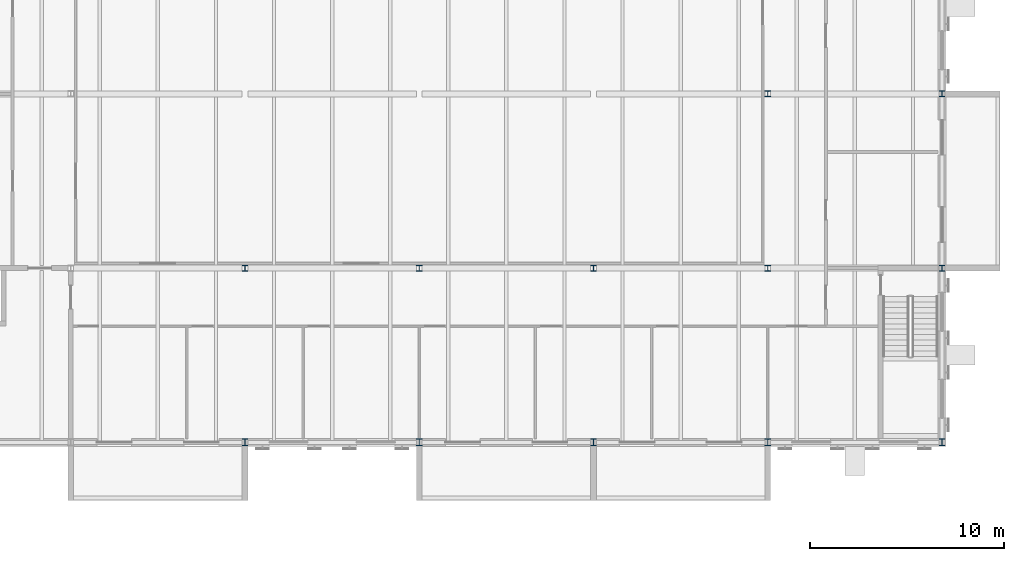
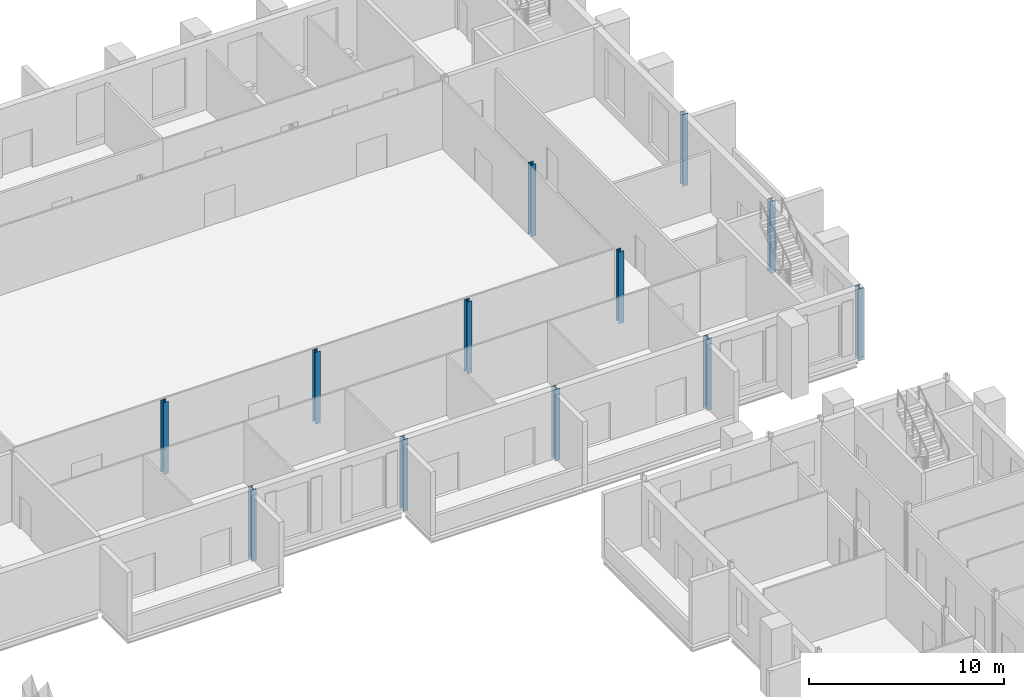
# One storey, part 18 of 134: 12 columns.
"""IFC4 building model written with IfcOpenShell, lengths in metres."""

from ifc_helpers import new_model, si_unit, direction, frame, origin, origin_2d, place, context, subcontext, project, spatial, i_section, extrude, material, material_profile, profile_set, type_object, element, save


model = new_model("IFC4")

# Units and contexts
model_context = context("Model", 3, precision=1e-05, world=origin(), true_north=direction((0.0, 1.0)))
body_context = subcontext(model_context, "Body", "Model", "MODEL_VIEW")
ifc_project = project(units=[si_unit("LENGTHUNIT", "METRE"), si_unit("AREAUNIT", "SQUARE_METRE"), si_unit("VOLUMEUNIT", "CUBIC_METRE"), si_unit("PLANEANGLEUNIT", "RADIAN"), si_unit("MASSUNIT", "GRAM", prefix="KILO")], contexts=[model_context])

# Site, building, storey
site_placement = place(None, origin())
site = spatial("IfcSite", under=ifc_project, at=site_placement, CompositionType="ELEMENT")
building_placement = place(site_placement, origin())
building = spatial("IfcBuilding", under=site, at=building_placement, Name="Golden Quay Civic Hall", CompositionType="ELEMENT")
storey_placement = place(building_placement, frame((0.0, 0.0, 5.39990234375)))
storey = spatial("IfcBuildingStorey", under=building, at=storey_placement, Name="L01", CompositionType="ELEMENT", Elevation=5.39990234375)

# Columns
ifc_material_1 = material(Name="Steel S355", Category="steel")
ifc_material_profile_1 = material_profile(ifc_material_1, i_section(OverallWidth=0.300048828125, OverallDepth=0.300048828125, WebThickness=0.010986328125, FlangeThickness=0.01904296875, FilletRadius=0.027099609375, at=origin_2d()), Name="HEB 300")
ifc_profile_set_1 = profile_set([ifc_material_profile_1], Name="Steel S355")
column_type_1 = type_object("IfcColumnType", Name="Steel column HEB 300", PredefinedType="COLUMN", material=ifc_profile_set_1)
for number, where, z_axis, x_axis, name in (
    (1, (135.0, 72.0, -0.199951171875), (0.0, 0.0, 1.0), (1.0, 0.0, 0.0), "L01 column 135/72"),
    (2, (144.0, 72.0, -0.199951171875), (0.0, 0.0, 1.0), (1.0, 0.0, 0.0), "L01 column 144/72"),
    (3, (153.0, 72.0, -0.199951171875), (0.0, 0.0, 1.0), (1.0, 0.0, 0.0), "L01 column 153/72"),
    (4, (162.0, 72.0, -0.199951171875), (0.0, 0.0, 1.0), (1.0, 0.0, 0.0), "L01 column 162/72"),
    (5, (162.0, 81.0, -0.199951171875), (0.0, 0.0, 1.0), (1.0, 0.0, 0.0), "L01 column 162/81"),
    (6, (171.0, 72.0, -0.199951171875), (0.0, 0.0, 1.0), (1.0, 0.0, 0.0), "L01 column 171/72"),
    (7, (171.0, 81.0, -0.199951171875), (0.0, 0.0, 1.0), (1.0, 0.0, 0.0), "L01 column 171/81"),
):
    element("IfcColumn", number, at=place(storey_placement, frame(where, z_axis=z_axis, x_axis=x_axis)), inside=storey, type_object=column_type_1, Name=name, PredefinedType="COLUMN", context=body_context, shape_type="SweptSolid", body=[
        extrude(i_section(OverallWidth=0.300048828125, OverallDepth=0.300048828125, WebThickness=0.010986328125, FlangeThickness=0.01904296875, FilletRadius=0.027099609375, at=origin_2d()), origin(), (0.0, 0.0, 1.0), 4.5),
    ])
ifc_material_2 = material(Name="Steel S355", Category="steel")
ifc_material_profile_2 = material_profile(ifc_material_2, i_section(OverallWidth=0.300048828125, OverallDepth=0.360107421875, WebThickness=0.012451171875, FlangeThickness=0.0224609375, FilletRadius=0.027099609375, at=origin_2d()), Name="HEB 360")
ifc_profile_set_2 = profile_set([ifc_material_profile_2], Name="Steel S355")
column_type_2 = type_object("IfcColumnType", Name="Steel column HEB 360", PredefinedType="COLUMN", material=ifc_profile_set_2)
for number, where, z_axis, x_axis, name in (
    (8, (135.0, 63.0, -0.199951171875), (0.0, 0.0, 1.0), (1.0, 0.0, 0.0), "L01 column 135/63"),
    (9, (144.0, 63.0, -0.199951171875), (0.0, 0.0, 1.0), (1.0, 0.0, 0.0), "L01 column 144/63"),
    (10, (153.0, 63.0, -0.199951171875), (0.0, 0.0, 1.0), (1.0, 0.0, 0.0), "L01 column 153/63"),
    (11, (162.0, 63.0, -0.199951171875), (0.0, 0.0, 1.0), (1.0, 0.0, 0.0), "L01 column 162/63"),
    (12, (171.0, 63.0, -0.199951171875), (0.0, 0.0, 1.0), (1.0, 0.0, 0.0), "L01 column 171/63"),
):
    element("IfcColumn", number, at=place(storey_placement, frame(where, z_axis=z_axis, x_axis=x_axis)), inside=storey, type_object=column_type_2, Name=name, PredefinedType="COLUMN", context=body_context, shape_type="SweptSolid", body=[
        extrude(i_section(OverallWidth=0.300048828125, OverallDepth=0.360107421875, WebThickness=0.012451171875, FlangeThickness=0.0224609375, FilletRadius=0.027099609375, at=origin_2d()), origin(), (0.0, 0.0, 1.0), 4.5),
    ])

save(model, "model.ifc")
